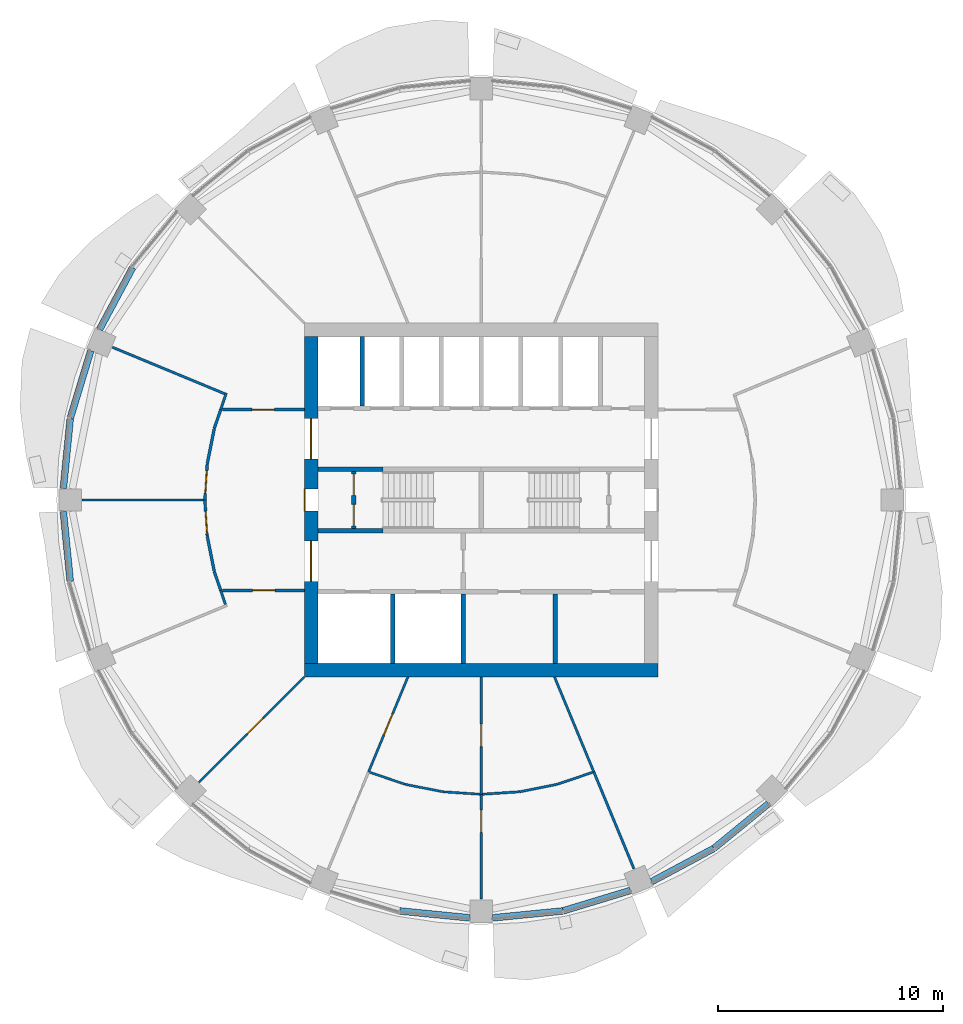
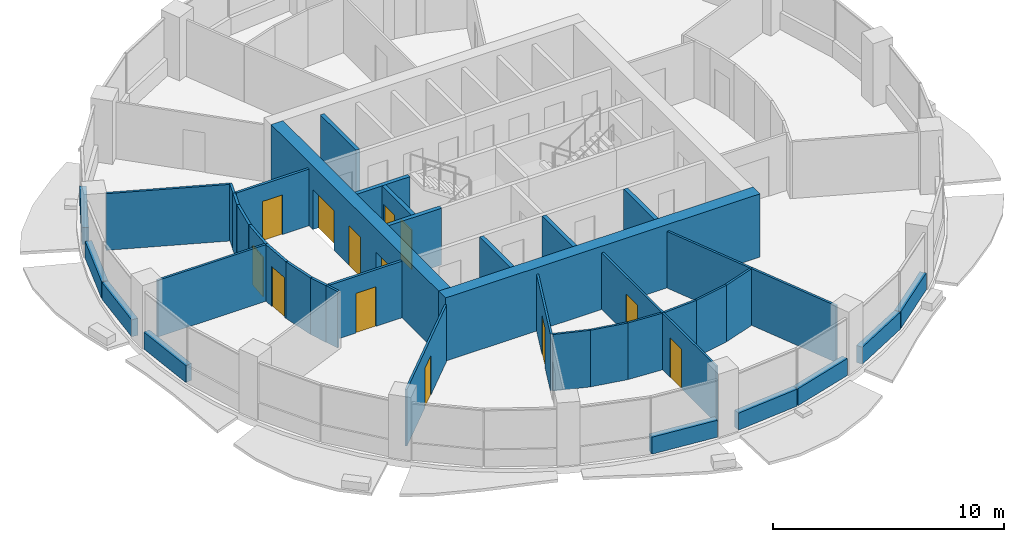
# One storey, part 8 of 14: 42 walls, 13 doors, 13 openings.
"""IFC4 building model written with IfcOpenShell, lengths in metres."""

from ifc_helpers import new_model, si_unit, direction, frame, frame_2d, origin, place, context, subcontext, project, spatial, rectangle, extrude, material, layer, layer_set, type_object, element, fill, save


model = new_model("IFC4")

# Units and contexts
model_context = context("Model", 3, precision=1e-05, world=origin(), true_north=direction((0.0, 1.0)))
body_context = subcontext(model_context, "Body", "Model", "MODEL_VIEW")
ifc_project = project(units=[si_unit("LENGTHUNIT", "METRE"), si_unit("AREAUNIT", "SQUARE_METRE"), si_unit("VOLUMEUNIT", "CUBIC_METRE"), si_unit("PLANEANGLEUNIT", "RADIAN"), si_unit("MASSUNIT", "GRAM", prefix="KILO")], contexts=[model_context])

# Site, building, storey
site_placement = place(None, origin())
site = spatial("IfcSite", under=ifc_project, at=site_placement, CompositionType="ELEMENT")
building_placement = place(site_placement, origin())
building = spatial("IfcBuilding", under=site, at=building_placement, Name="Polderwave Tower", CompositionType="ELEMENT")
storey_placement = place(building_placement, frame((0.0, 0.0, 147.75)))
storey = spatial("IfcBuildingStorey", under=building, at=storey_placement, Name="L39", CompositionType="ELEMENT", Elevation=147.75)

# Wall
ifc_material_1 = material(Name="Concrete C60/75", Category="concrete")
ifc_layer_1 = layer(ifc_material_1, 0.60009765625)
ifc_layer_set_1 = layer_set([ifc_layer_1], Name="CORE WALL 600 C60/75")
wall_type_1 = type_object("IfcWallType", Name="CORE WALL 600 C60/75", PredefinedType="SHEAR", material=ifc_layer_set_1)
wall_1_placement = place(storey_placement, frame((-7.8740234375, -7.573974609375, 0.0), z_axis=(0.0, 0.0, 1.0), x_axis=(1.0, 0.0, 0.0)))
element("IfcWall", 1, at=wall_1_placement, inside=storey, type_object=wall_type_1, Name="ST-CORE-L39-S", PredefinedType="SHEAR", context=body_context, shape_type="SweptSolid", body=[
    extrude(rectangle(XDim=15.748046875, YDim=0.60009765625, at=frame_2d((7.8740234375, 0.0))), origin(), (0.0, 0.0, 1.0), 3.35009765625),
])

# Wall, openings, doors
wall_2_placement = place(storey_placement, frame((-7.573974609375, -7.27392578125, 0.0), z_axis=(0.0, 0.0, 1.0), x_axis=(0.0, 1.0, 0.0)))
wall_2 = element("IfcWall", 2, at=wall_2_placement, inside=storey, type_object=wall_type_1, Name="ST-CORE-L39-W", PredefinedType="SHEAR", context=body_context, shape_type="SweptSolid", body=[
    extrude(rectangle(XDim=14.5478515625, YDim=0.60009765625, at=frame_2d((7.27392578125, 0.0))), origin(), (0.0, 0.0, 1.0), 3.35009765625),
])
opening_1_placement = place(wall_2_placement, frame((6.77392578125, 0.0, 0.0)))
opening_1 = element("IfcOpeningElement", 3, at=opening_1_placement, cuts=wall_2, Name="Opening L39-D18", PredefinedType="OPENING", context=body_context, shape_type="SweptSolid", body=[
    extrude(rectangle(XDim=1.0, YDim=2.10009765625, at=frame_2d((0.5, 1.050048828125))), frame((0.0, 0.31005859375, 0.0), z_axis=(0.0, -1.0, 0.0), x_axis=(1.0, 0.0, 0.0)), (0.0, 0.0, 1.0), 0.6201171875),
])
opening_2_placement = place(wall_2_placement, frame((3.6494140625, 0.0, 0.0)))
opening_2 = element("IfcOpeningElement", 4, at=opening_2_placement, cuts=wall_2, Name="Opening L39-D19", PredefinedType="OPENING", context=body_context, shape_type="SweptSolid", body=[
    extrude(rectangle(XDim=1.800048828125, YDim=2.10009765625, at=frame_2d((0.89990234375, 1.050048828125))), frame((0.0, 0.31005859375, 0.0), z_axis=(0.0, -1.0, 0.0), x_axis=(1.0, 0.0, 0.0)), (0.0, 0.0, 1.0), 0.6201171875),
])
opening_3_placement = place(wall_2_placement, frame((9.098388671875, 0.0, 0.0)))
opening_3 = element("IfcOpeningElement", 5, at=opening_3_placement, cuts=wall_2, Name="Opening L39-D20", PredefinedType="OPENING", context=body_context, shape_type="SweptSolid", body=[
    extrude(rectangle(XDim=1.800048828125, YDim=2.10009765625, at=frame_2d((0.89990234375, 1.050048828125))), frame((0.0, 0.31005859375, 0.0), z_axis=(0.0, -1.0, 0.0), x_axis=(1.0, 0.0, 0.0)), (0.0, 0.0, 1.0), 0.6201171875),
])
ifc_material_2 = material(Name="Steel fire door", Category="steel")
door_type_1 = type_object("IfcDoorType", Name="Lobby entry door pair 1800", OperationType="DOUBLE_DOOR_SINGLE_SWING", PredefinedType="DOOR", material=ifc_material_2)
door_1_placement = place(opening_2_placement, origin())
door_1 = element("IfcDoor", 6, at=door_1_placement, inside=storey, type_object=door_type_1, Name="Fire-fighting lobby entry door", OperationType="DOUBLE_DOOR_SINGLE_SWING", OverallHeight=2.10009765625, OverallWidth=1.800048828125, PredefinedType="DOOR", context=body_context, shape_type="SweptSolid", body=[
    extrude(rectangle(XDim=1.800048828125, YDim=2.10009765625, at=frame_2d((0.89990234375, 1.050048828125))), frame((0.0, 0.02490234375, 0.0), z_axis=(0.0, -1.0, 0.0), x_axis=(1.0, 0.0, 0.0)), (0.0, 0.0, 1.0), 0.050048828125),
])
fill(opening_2, door_1)
door_2_placement = place(opening_3_placement, origin())
door_2 = element("IfcDoor", 7, at=door_2_placement, inside=storey, type_object=door_type_1, Name="North lobby entry door", OperationType="DOUBLE_DOOR_SINGLE_SWING", OverallHeight=2.10009765625, OverallWidth=1.800048828125, PredefinedType="DOOR", context=body_context, shape_type="SweptSolid", body=[
    extrude(rectangle(XDim=1.800048828125, YDim=2.10009765625, at=frame_2d((0.89990234375, 1.050048828125))), frame((0.0, 0.02490234375, 0.0), z_axis=(0.0, -1.0, 0.0), x_axis=(1.0, 0.0, 0.0)), (0.0, 0.0, 1.0), 0.050048828125),
])
fill(opening_3, door_2)
door_type_2 = type_object("IfcDoorType", Name="Stair door 1000", OperationType="NOTDEFINED", PredefinedType="DOOR", material=ifc_material_2)
door_3_placement = place(opening_1_placement, origin())
door_3 = element("IfcDoor", 8, at=door_3_placement, inside=storey, type_object=door_type_2, Name="Stair A entry door", OperationType="SINGLE_SWING_RIGHT", OverallHeight=2.10009765625, OverallWidth=1.0, PredefinedType="DOOR", context=body_context, shape_type="SweptSolid", body=[
    extrude(rectangle(XDim=1.0, YDim=2.10009765625, at=frame_2d((0.5, 1.050048828125))), frame((0.0, 0.2998046875, 0.0), z_axis=(0.0, -1.0, 0.0), x_axis=(1.0, 0.0, 0.0)), (0.0, 0.0, 1.0), 0.050048828125),
])
fill(opening_1, door_3)

# Walls
ifc_material_3 = material(Name="Concrete C50/60 (board-marked)", Category="concrete")
ifc_layer_2 = layer(ifc_material_3, 0.300048828125)
ifc_layer_set_2 = layer_set([ifc_layer_2], Name="Concrete spandrel upstand C50/60")
wall_type_2 = type_object("IfcWallType", Name="Concrete spandrel upstand C50/60", PredefinedType="SOLIDWALL", material=ifc_layer_set_2)
for number, where, z_axis, x_axis, name in (
    (9, (-15.51318359375, 10.347900390625, 0.0), (0.0, 0.0, 1.0), (-0.471577373746, -0.881824688116, 0.0), "Spandrel L39 7b"),
    (10, (-17.37939453125, 6.642578125, 0.0), (0.0, 0.0, 1.0), (-0.290614442714, -0.95684024042, 0.0), "Spandrel L39 8a"),
):
    element("IfcWall", number, at=place(storey_placement, frame(where, z_axis=z_axis, x_axis=x_axis)), inside=storey, type_object=wall_type_2, Name=name, PredefinedType="SOLIDWALL", context=body_context, shape_type="SweptSolid", body=[
        extrude(rectangle(XDim=3.125, YDim=0.300048828125, at=frame_2d((1.5625, 0.0))), origin(), (0.0, 0.0, 1.0), 0.89990234375),
    ])
for number, where, z_axis, x_axis, name in (
    (11, (-18.29345703125, 3.623046875, 0.0), (0.0, 0.0, 1.0), (-0.097994848851, -0.995186921939, 0.0), "Spandrel L39 8b"),
    (12, (-18.599609375, -0.513916015625, 0.0), (0.0, 0.0, 1.0), (0.097994848851, -0.995186921939, 0.0), "Spandrel L39 9a"),
    (13, (-3.623046875, -18.29345703125, 0.0), (0.0, 0.0, 1.0), (0.995186921939, -0.097994848851, 0.0), "Spandrel L39 12b"),
    (14, (0.513916015625, -18.599609375, 0.0), (0.0, 0.0, 1.0), (0.995186921939, 0.097994848851, 0.0), "Spandrel L39 13a"),
):
    element("IfcWall", number, at=place(storey_placement, frame(where, z_axis=z_axis, x_axis=x_axis)), inside=storey, type_object=wall_type_2, Name=name, PredefinedType="SOLIDWALL", context=body_context, shape_type="SweptSolid", body=[
        extrude(rectangle(XDim=3.124267578125, YDim=0.300048828125, at=frame_2d((1.56201171875, 0.0))), origin(), (0.0, 0.0, 1.0), 0.89990234375),
    ])
for number, where, z_axis, x_axis, name in (
    (15, (3.65234375, -18.28759765625, 0.0), (0.0, 0.0, 1.0), (0.95684024042, 0.290614442714, 0.0), "Spandrel L39 13b"),
    (16, (7.59228515625, -16.98681640625, 0.0), (0.0, 0.0, 1.0), (0.881824688116, 0.471577373746, 0.0), "Spandrel L39 14a"),
    (17, (10.37255859375, -15.49658203125, 0.0), (0.0, 0.0, 1.0), (0.773351289405, 0.633977746593, 0.0), "Spandrel L39 14b"),
):
    element("IfcWall", number, at=place(storey_placement, frame(where, z_axis=z_axis, x_axis=x_axis)), inside=storey, type_object=wall_type_2, Name=name, PredefinedType="SOLIDWALL", context=body_context, shape_type="SweptSolid", body=[
        extrude(rectangle(XDim=3.125, YDim=0.300048828125, at=frame_2d((1.5625, 0.0))), origin(), (0.0, 0.0, 1.0), 0.89990234375),
    ])
ifc_material_4 = material(Name="Gypsum board partition")
ifc_layer_3 = layer(ifc_material_4, 0.199951171875)
ifc_layer_set_3 = layer_set([ifc_layer_3], Name="Core room partition 200")
wall_type_3 = type_object("IfcWallType", Name="Core room partition 200", PredefinedType="PARTITIONING", material=ifc_layer_set_3)
wall_3_placement = place(storey_placement, frame((3.287109375, -7.27392578125, 0.0), z_axis=(0.0, 0.0, 1.0), x_axis=(0.0, 1.0, 0.0)))
element("IfcWall", 18, at=wall_3_placement, inside=storey, type_object=wall_type_3, Name="L39 room partition S1", PredefinedType="PARTITIONING", context=body_context, shape_type="SweptSolid", body=[
    extrude(rectangle(XDim=3.099853515625, YDim=0.199951171875, at=frame_2d((1.5498046875, 0.0))), origin(), (0.0, 0.0, 1.0), 3.0),
])

# Wall, openings, doors
wall_4_placement = place(storey_placement, frame((-5.674072265625, -1.27490234375, 0.0), z_axis=(0.0, 0.0, 1.0), x_axis=(0.0, 1.0, 0.0)))
wall_4 = element("IfcWall", 19, at=wall_4_placement, inside=storey, type_object=wall_type_3, Name="L39 smoke lobby wall A", PredefinedType="PARTITIONING", context=body_context, shape_type="SweptSolid", body=[
    extrude(rectangle(XDim=2.5498046875, YDim=0.199951171875, at=frame_2d((1.27490234375, 0.0))), origin(), (0.0, 0.0, 1.0), 3.0),
])
opening_4_placement = place(wall_4_placement, frame((0.125, 0.0, 0.0)))
opening_4 = element("IfcOpeningElement", 20, at=opening_4_placement, cuts=wall_4, Name="Opening L39-D10", PredefinedType="OPENING", context=body_context, shape_type="SweptSolid", body=[
    extrude(rectangle(XDim=0.949951171875, YDim=2.10009765625, at=frame_2d((0.47509765625, 1.050048828125))), frame((0.0, 0.10986328125, 0.0), z_axis=(0.0, -1.0, 0.0), x_axis=(1.0, 0.0, 0.0)), (0.0, 0.0, 1.0), 0.219970703125),
])
opening_5_placement = place(wall_4_placement, frame((1.47509765625, 0.0, 0.0)))
opening_5 = element("IfcOpeningElement", 21, at=opening_5_placement, cuts=wall_4, Name="Opening L39-D11", PredefinedType="OPENING", context=body_context, shape_type="SweptSolid", body=[
    extrude(rectangle(XDim=0.949951171875, YDim=2.10009765625, at=frame_2d((0.47509765625, 1.050048828125))), frame((0.0, 0.10986328125, 0.0), z_axis=(0.0, -1.0, 0.0), x_axis=(1.0, 0.0, 0.0)), (0.0, 0.0, 1.0), 0.219970703125),
])
door_type_3 = type_object("IfcDoorType", Name="Smoke lobby door 950", OperationType="NOTDEFINED", PredefinedType="DOOR", material=ifc_material_2)
door_4_placement = place(opening_4_placement, origin())
door_4 = element("IfcDoor", 22, at=door_4_placement, inside=storey, type_object=door_type_3, Name="Stair A smoke lobby inner door", OperationType="SINGLE_SWING_LEFT", OverallHeight=2.10009765625, OverallWidth=0.949951171875, PredefinedType="DOOR", context=body_context, shape_type="SweptSolid", body=[
    extrude(rectangle(XDim=0.949951171875, YDim=2.10009765625, at=frame_2d((0.47509765625, 1.050048828125))), frame((0.0, 0.02490234375, 0.0), z_axis=(0.0, -1.0, 0.0), x_axis=(1.0, 0.0, 0.0)), (0.0, 0.0, 1.0), 0.050048828125),
])
fill(opening_4, door_4)
door_5_placement = place(opening_5_placement, origin())
door_5 = element("IfcDoor", 23, at=door_5_placement, inside=storey, type_object=door_type_3, Name="Stair A smoke lobby inner door", OperationType="SINGLE_SWING_RIGHT", OverallHeight=2.10009765625, OverallWidth=0.949951171875, PredefinedType="DOOR", context=body_context, shape_type="SweptSolid", body=[
    extrude(rectangle(XDim=0.949951171875, YDim=2.10009765625, at=frame_2d((0.47509765625, 1.050048828125))), frame((0.0, 0.02490234375, 0.0), z_axis=(0.0, -1.0, 0.0), x_axis=(1.0, 0.0, 0.0)), (0.0, 0.0, 1.0), 0.050048828125),
])
fill(opening_5, door_5)

# Walls
ifc_material_5 = material(Name="Concrete C50/60", Category="concrete")
ifc_layer_4 = layer(ifc_material_5, 0.199951171875)
ifc_layer_set_4 = layer_set([ifc_layer_4], Name="Core web wall 200")
wall_type_4 = type_object("IfcWallType", Name="Core web wall 200", PredefinedType="SHEAR", material=ifc_layer_set_4)
for number, where, z_axis, x_axis, name in (
    (24, (-7.27392578125, -1.375, 0.0), (0.0, 0.0, 1.0), (1.0, 0.0, 0.0), "L39 south stair wall 1"),
    (25, (-7.27392578125, 1.375, 0.0), (0.0, 0.0, 1.0), (1.0, 0.0, 0.0), "L39 north stair wall 1"),
):
    element("IfcWall", number, at=place(storey_placement, frame(where, z_axis=z_axis, x_axis=x_axis)), inside=storey, type_object=wall_type_4, Name=name, PredefinedType="SHEAR", context=body_context, shape_type="SweptSolid", body=[
        extrude(rectangle(XDim=2.89990234375, YDim=0.199951171875, at=frame_2d((1.449951171875, 0.0))), origin(), (0.0, 0.0, 1.0), 3.0),
    ])

# Wall, opening, door
ifc_material_6 = material(Name="Fire-resisting board on steel studs", Category="steel")
ifc_layer_5 = layer(ifc_material_6, 0.125)
ifc_layer_set_5 = layer_set([ifc_layer_5], Name="Corridor wall 125 mm EI 60")
wall_type_5 = type_object("IfcWallType", Name="Corridor wall 125 mm EI 60", PredefinedType="PARTITIONING", material=ifc_layer_set_5)
wall_5_placement = place(storey_placement, frame((-11.50830078125, 4.0244140625, 0.0), z_axis=(0.0, 0.0, 1.0), x_axis=(1.0, 0.0, 0.0)))
wall_5 = element("IfcWall", 26, at=wall_5_placement, inside=storey, type_object=wall_type_5, Name="IN-L39-W009", PredefinedType="PARTITIONING", context=body_context, shape_type="SweptSolid", body=[
    extrude(rectangle(XDim=3.63427734375, YDim=0.125, at=frame_2d((1.817138671875, 0.0))), origin(), (0.0, 0.0, 1.0), 3.0),
])
opening_6_placement = place(wall_5_placement, frame((1.300048828125, 0.0, 0.0)))
opening_6 = element("IfcOpeningElement", 27, at=opening_6_placement, cuts=wall_5, Name="Opening L39-D53", PredefinedType="OPENING", context=body_context, shape_type="SweptSolid", body=[
    extrude(rectangle(XDim=1.0, YDim=2.10009765625, at=frame_2d((0.5, 1.050048828125))), frame((0.0, 0.072509765625, 0.0), z_axis=(0.0, -1.0, 0.0), x_axis=(1.0, 0.0, 0.0)), (0.0, 0.0, 1.0), 0.14501953125),
])
ifc_material_7 = material(Name="Timber fire door leaf", Category="wood")
door_type_4 = type_object("IfcDoorType", Name="Fire door FD30S 1000 x 2100", OperationType="NOTDEFINED", PredefinedType="DOOR", material=ifc_material_7)
door_6_placement = place(opening_6_placement, origin())
door_6 = element("IfcDoor", 28, at=door_6_placement, inside=storey, type_object=door_type_4, Name="Door L39-D53", OperationType="SINGLE_SWING_LEFT", OverallHeight=2.10009765625, OverallWidth=1.0, PredefinedType="DOOR", context=body_context, shape_type="SweptSolid", body=[
    extrude(rectangle(XDim=1.0, YDim=2.10009765625, at=frame_2d((0.5, 1.050048828125))), frame((0.0, 0.02490234375, 0.0), z_axis=(0.0, -1.0, 0.0), x_axis=(1.0, 0.0, 0.0)), (0.0, 0.0, 1.0), 0.050048828125),
])
fill(opening_6, door_6)

wall_6_placement = place(storey_placement, frame((-12.300048828125, 0.0, 0.0), z_axis=(0.0, 0.0, 1.0), x_axis=(0.065418342457, 0.997857925995, 0.0)))
wall_6 = element("IfcWall", 29, at=wall_6_placement, inside=storey, type_object=wall_type_5, Name="IN-L39-W010", PredefinedType="PARTITIONING", context=body_context, shape_type="SweptSolid", body=[
    extrude(rectangle(XDim=1.604736328125, YDim=0.125, at=frame_2d((0.80224609375, 0.0))), origin(), (0.0, 0.0, 1.0), 3.0),
])
opening_7_placement = place(wall_6_placement, frame((0.300048828125, 0.0, 0.0)))
opening_7 = element("IfcOpeningElement", 30, at=opening_7_placement, cuts=wall_6, Name="Opening L39-D54", PredefinedType="OPENING", context=body_context, shape_type="SweptSolid", body=[
    extrude(rectangle(XDim=1.0, YDim=2.10009765625, at=frame_2d((0.5, 1.050048828125))), frame((0.0, 0.072509765625, 0.0), z_axis=(0.0, -1.0, 0.0), x_axis=(1.0, 0.0, 0.0)), (0.0, 0.0, 1.0), 0.14501953125),
])
door_7_placement = place(opening_7_placement, origin())
door_7 = element("IfcDoor", 31, at=door_7_placement, inside=storey, type_object=door_type_4, Name="Door L39-D54", OperationType="SINGLE_SWING_LEFT", OverallHeight=2.10009765625, OverallWidth=1.0, PredefinedType="DOOR", context=body_context, shape_type="SweptSolid", body=[
    extrude(rectangle(XDim=1.0, YDim=2.10009765625, at=frame_2d((0.5, 1.050048828125))), frame((0.0, 0.02490234375, 0.0), z_axis=(0.0, -1.0, 0.0), x_axis=(1.0, 0.0, 0.0)), (0.0, 0.0, 1.0), 0.050048828125),
])
fill(opening_7, door_7)

# Walls
wall_7_placement = place(storey_placement, frame((-12.194091796875, 1.609619140625, 0.0), z_axis=(0.0, 0.0, 1.0), x_axis=(0.195236085831, 0.980756274917, 0.0)))
element("IfcWall", 32, at=wall_7_placement, inside=storey, type_object=wall_type_5, Name="IN-L39-W011", PredefinedType="PARTITIONING", context=body_context, shape_type="SweptSolid", body=[
    extrude(rectangle(XDim=1.6005859375, YDim=0.125, at=frame_2d((0.80029296875, 0.0))), origin(), (0.0, 0.0, 1.0), 3.0),
])
wall_8_placement = place(storey_placement, frame((-11.879638671875, 3.1875, 0.0), z_axis=(0.0, 0.0, 1.0), x_axis=(0.321526351952, 0.946900631006, 0.0)))
element("IfcWall", 33, at=wall_8_placement, inside=storey, type_object=wall_type_5, Name="IN-L39-W012", PredefinedType="PARTITIONING", context=body_context, shape_type="SweptSolid", body=[
    extrude(rectangle(XDim=0.8837890625, YDim=0.125, at=frame_2d((0.44189453125, 0.0))), origin(), (0.0, 0.0, 1.0), 3.0),
])

# Wall, opening, door
wall_9_placement = place(storey_placement, frame((-7.8740234375, -4.0244140625, 0.0), z_axis=(0.0, 0.0, 1.0), x_axis=(-1.0, 0.0, 0.0)))
wall_9 = element("IfcWall", 34, at=wall_9_placement, inside=storey, type_object=wall_type_5, Name="IN-L39-W013", PredefinedType="PARTITIONING", context=body_context, shape_type="SweptSolid", body=[
    extrude(rectangle(XDim=3.63427734375, YDim=0.125, at=frame_2d((1.817138671875, 0.0))), origin(), (0.0, 0.0, 1.0), 3.0),
])
opening_8_placement = place(wall_9_placement, frame((1.300048828125, 0.0, 0.0)))
opening_8 = element("IfcOpeningElement", 35, at=opening_8_placement, cuts=wall_9, Name="Opening L39-D55", PredefinedType="OPENING", context=body_context, shape_type="SweptSolid", body=[
    extrude(rectangle(XDim=1.0, YDim=2.10009765625, at=frame_2d((0.5, 1.050048828125))), frame((0.0, 0.072509765625, 0.0), z_axis=(0.0, -1.0, 0.0), x_axis=(1.0, 0.0, 0.0)), (0.0, 0.0, 1.0), 0.14501953125),
])
door_8_placement = place(opening_8_placement, origin())
door_8 = element("IfcDoor", 36, at=door_8_placement, inside=storey, type_object=door_type_4, Name="Door L39-D55", OperationType="SINGLE_SWING_LEFT", OverallHeight=2.10009765625, OverallWidth=1.0, PredefinedType="DOOR", context=body_context, shape_type="SweptSolid", body=[
    extrude(rectangle(XDim=1.0, YDim=2.10009765625, at=frame_2d((0.5, 1.050048828125))), frame((0.0, 0.02490234375, 0.0), z_axis=(0.0, -1.0, 0.0), x_axis=(1.0, 0.0, 0.0)), (0.0, 0.0, 1.0), 0.050048828125),
])
fill(opening_8, door_8)

wall_10_placement = place(storey_placement, frame((-12.195068359375, -1.601318359375, 0.0), z_axis=(0.0, 0.0, 1.0), x_axis=(-0.065418342457, 0.997857925995, 0.0)))
wall_10 = element("IfcWall", 37, at=wall_10_placement, inside=storey, type_object=wall_type_5, Name="IN-L39-W014", PredefinedType="PARTITIONING", context=body_context, shape_type="SweptSolid", body=[
    extrude(rectangle(XDim=1.604736328125, YDim=0.125, at=frame_2d((0.80224609375, 0.0))), origin(), (0.0, 0.0, 1.0), 3.0),
])
opening_9_placement = place(wall_10_placement, frame((0.10009765625, 0.0, 0.0)))
opening_9 = element("IfcOpeningElement", 38, at=opening_9_placement, cuts=wall_10, Name="Opening L39-D56", PredefinedType="OPENING", context=body_context, shape_type="SweptSolid", body=[
    extrude(rectangle(XDim=1.0, YDim=2.10009765625, at=frame_2d((0.5, 1.050048828125))), frame((0.0, 0.072509765625, 0.0), z_axis=(0.0, -1.0, 0.0), x_axis=(1.0, 0.0, 0.0)), (0.0, 0.0, 1.0), 0.14501953125),
])
door_9_placement = place(opening_9_placement, origin())
door_9 = element("IfcDoor", 39, at=door_9_placement, inside=storey, type_object=door_type_4, Name="Door L39-D56", OperationType="SINGLE_SWING_LEFT", OverallHeight=2.10009765625, OverallWidth=1.0, PredefinedType="DOOR", context=body_context, shape_type="SweptSolid", body=[
    extrude(rectangle(XDim=1.0, YDim=2.10009765625, at=frame_2d((0.5, 1.050048828125))), frame((0.0, 0.02490234375, 0.0), z_axis=(0.0, -1.0, 0.0), x_axis=(1.0, 0.0, 0.0)), (0.0, 0.0, 1.0), 0.050048828125),
])
fill(opening_9, door_9)

# Walls
wall_11_placement = place(storey_placement, frame((-11.881591796875, -3.179443359375, 0.0), z_axis=(0.0, 0.0, 1.0), x_axis=(-0.195236085831, 0.980756274917, 0.0)))
element("IfcWall", 40, at=wall_11_placement, inside=storey, type_object=wall_type_5, Name="IN-L39-W015", PredefinedType="PARTITIONING", context=body_context, shape_type="SweptSolid", body=[
    extrude(rectangle(XDim=1.6005859375, YDim=0.125, at=frame_2d((0.80029296875, 0.0))), origin(), (0.0, 0.0, 1.0), 3.0),
])
wall_12_placement = place(storey_placement, frame((-11.595458984375, -4.0244140625, 0.0), z_axis=(0.0, 0.0, 1.0), x_axis=(-0.321526351952, 0.946900631006, 0.0)))
element("IfcWall", 41, at=wall_12_placement, inside=storey, type_object=wall_type_5, Name="IN-L39-W016", PredefinedType="PARTITIONING", context=body_context, shape_type="SweptSolid", body=[
    extrude(rectangle(XDim=0.8837890625, YDim=0.125, at=frame_2d((0.44189453125, 0.0))), origin(), (0.0, 0.0, 1.0), 3.0),
])

# Wall, opening, door
ifc_material_8 = material(Name="Plasterboard on steel studs", Category="steel")
ifc_layer_6 = layer(ifc_material_8, 0.10009765625)
ifc_layer_set_6 = layer_set([ifc_layer_6], Name="Partition 100 mm plasterboard on steel studs")
wall_type_6 = type_object("IfcWallType", Name="Partition 100 mm plasterboard on steel studs", PredefinedType="PARTITIONING", material=ifc_layer_set_6)
wall_13_placement = place(storey_placement, frame((-7.8740234375, -7.8740234375, 0.0), z_axis=(0.0, 0.0, 1.0), x_axis=(-0.707106781187, -0.707106781187, 0.0)))
wall_13 = element("IfcWall", 42, at=wall_13_placement, inside=storey, type_object=wall_type_6, Name="IN-L39-W039", PredefinedType="PARTITIONING", context=body_context, shape_type="SweptSolid", body=[
    extrude(rectangle(XDim=6.63427734375, YDim=0.10009765625, at=frame_2d((3.317138671875, 0.0))), origin(), (0.0, 0.0, 1.0), 3.0),
])
opening_10_placement = place(wall_13_placement, frame((2.60009765625, 0.0, 0.0)))
opening_10 = element("IfcOpeningElement", 43, at=opening_10_placement, cuts=wall_13, Name="Opening L39-D62", PredefinedType="OPENING", context=body_context, shape_type="SweptSolid", body=[
    extrude(rectangle(XDim=1.0, YDim=2.10009765625, at=frame_2d((0.5, 1.050048828125))), frame((0.0, 0.06005859375, 0.0), z_axis=(0.0, -1.0, 0.0), x_axis=(1.0, 0.0, 0.0)), (0.0, 0.0, 1.0), 0.1201171875),
])
ifc_material_9 = material(Name="Timber veneer door leaf", Category="wood")
door_type_5 = type_object("IfcDoorType", Name="Single door 1000 x 2100", OperationType="NOTDEFINED", PredefinedType="DOOR", material=ifc_material_9)
door_10_placement = place(opening_10_placement, origin())
door_10 = element("IfcDoor", 44, at=door_10_placement, inside=storey, type_object=door_type_5, Name="Door L39-D62", OperationType="SINGLE_SWING_LEFT", OverallHeight=2.10009765625, OverallWidth=1.0, PredefinedType="DOOR", context=body_context, shape_type="SweptSolid", body=[
    extrude(rectangle(XDim=1.0, YDim=2.10009765625, at=frame_2d((0.5, 1.050048828125))), frame((0.0, 0.02490234375, 0.0), z_axis=(0.0, -1.0, 0.0), x_axis=(1.0, 0.0, 0.0)), (0.0, 0.0, 1.0), 0.050048828125),
])
fill(opening_10, door_10)

wall_14_placement = place(storey_placement, frame((-3.261474609375, -7.8740234375, 0.0), z_axis=(0.0, 0.0, 1.0), x_axis=(-0.382701956612, -0.923871859299, 0.0)))
wall_14 = element("IfcWall", 45, at=wall_14_placement, inside=storey, type_object=wall_type_6, Name="IN-L39-W040", PredefinedType="PARTITIONING", context=body_context, shape_type="SweptSolid", body=[
    extrude(rectangle(XDim=4.5771484375, YDim=0.10009765625, at=frame_2d((2.28857421875, 0.0))), origin(), (0.0, 0.0, 1.0), 3.0),
])
opening_11_placement = place(wall_14_placement, frame((1.800048828125, 0.0, 0.0)))
opening_11 = element("IfcOpeningElement", 46, at=opening_11_placement, cuts=wall_14, Name="Opening L39-D63", PredefinedType="OPENING", context=body_context, shape_type="SweptSolid", body=[
    extrude(rectangle(XDim=1.0, YDim=2.10009765625, at=frame_2d((0.5, 1.050048828125))), frame((0.0, 0.06005859375, 0.0), z_axis=(0.0, -1.0, 0.0), x_axis=(1.0, 0.0, 0.0)), (0.0, 0.0, 1.0), 0.1201171875),
])
door_11_placement = place(opening_11_placement, origin())
door_11 = element("IfcDoor", 47, at=door_11_placement, inside=storey, type_object=door_type_5, Name="Door L39-D63", OperationType="SINGLE_SWING_RIGHT", OverallHeight=2.10009765625, OverallWidth=1.0, PredefinedType="DOOR", context=body_context, shape_type="SweptSolid", body=[
    extrude(rectangle(XDim=1.0, YDim=2.10009765625, at=frame_2d((0.5, 1.050048828125))), frame((0.0, 0.02490234375, 0.0), z_axis=(0.0, -1.0, 0.0), x_axis=(1.0, 0.0, 0.0)), (0.0, 0.0, 1.0), 0.050048828125),
])
fill(opening_11, door_11)

# Walls
wall_15_placement = place(storey_placement, frame((-3.3935546875, -12.652587890625, 0.0), z_axis=(0.0, 0.0, 1.0), x_axis=(-0.946960286408, 0.321350612207, 0.0)))
element("IfcWall", 48, at=wall_15_placement, inside=storey, type_object=wall_type_6, Name="IN-L39-W042", PredefinedType="PARTITIONING", context=body_context, shape_type="SweptSolid", body=[
    extrude(rectangle(XDim=1.656982421875, YDim=0.10009765625, at=frame_2d((0.82861328125, 0.0))), origin(), (0.0, 0.0, 1.0), 3.0),
])
wall_16_placement = place(storey_placement, frame((-1.713134765625, -12.9873046875, 0.0), z_axis=(0.0, 0.0, 1.0), x_axis=(-0.980783695828, 0.195098288043, 0.0)))
element("IfcWall", 49, at=wall_16_placement, inside=storey, type_object=wall_type_6, Name="IN-L39-W043", PredefinedType="PARTITIONING", context=body_context, shape_type="SweptSolid", body=[
    extrude(rectangle(XDim=1.706787109375, YDim=0.10009765625, at=frame_2d((0.853515625, 0.0))), origin(), (0.0, 0.0, 1.0), 3.0),
])
wall_17_placement = place(storey_placement, frame((-0.055908203125, -13.09619140625, 0.0), z_axis=(0.0, 0.0, 1.0), x_axis=(-0.997860265299, 0.06538265013, 0.0)))
element("IfcWall", 50, at=wall_17_placement, inside=storey, type_object=wall_type_6, Name="IN-L39-W044", PredefinedType="PARTITIONING", context=body_context, shape_type="SweptSolid", body=[
    extrude(rectangle(XDim=1.654052734375, YDim=0.10009765625, at=frame_2d((0.8271484375, 0.0))), origin(), (0.0, 0.0, 1.0), 3.0),
])

# Wall, opening, door
wall_18_placement = place(storey_placement, frame((0.0, -13.10009765625, 0.0), z_axis=(0.0, 0.0, 1.0), x_axis=(0.0, -1.0, 0.0)))
wall_18 = element("IfcWall", 51, at=wall_18_placement, inside=storey, type_object=wall_type_6, Name="IN-L39-W046", PredefinedType="PARTITIONING", context=body_context, shape_type="SweptSolid", body=[
    extrude(rectangle(XDim=4.669921875, YDim=0.10009765625, at=frame_2d((2.3349609375, 0.0))), origin(), (0.0, 0.0, 1.0), 3.0),
])
opening_12_placement = place(wall_18_placement, frame((0.699951171875, 0.0, 0.0)))
opening_12 = element("IfcOpeningElement", 52, at=opening_12_placement, cuts=wall_18, Name="Opening L39-D66", PredefinedType="OPENING", context=body_context, shape_type="SweptSolid", body=[
    extrude(rectangle(XDim=1.0, YDim=2.10009765625, at=frame_2d((0.5, 1.050048828125))), frame((0.0, 0.06005859375, 0.0), z_axis=(0.0, -1.0, 0.0), x_axis=(1.0, 0.0, 0.0)), (0.0, 0.0, 1.0), 0.1201171875),
])
door_12_placement = place(opening_12_placement, origin())
door_12 = element("IfcDoor", 53, at=door_12_placement, inside=storey, type_object=door_type_5, Name="Door L39-D66", OperationType="SINGLE_SWING_LEFT", OverallHeight=2.10009765625, OverallWidth=1.0, PredefinedType="DOOR", context=body_context, shape_type="SweptSolid", body=[
    extrude(rectangle(XDim=1.0, YDim=2.10009765625, at=frame_2d((0.5, 1.050048828125))), frame((0.0, 0.02490234375, 0.0), z_axis=(0.0, -1.0, 0.0), x_axis=(1.0, 0.0, 0.0)), (0.0, 0.0, 1.0), 0.050048828125),
])
fill(opening_12, door_12)

ifc_material_10 = material(Name="Moisture-resistant board on steel studs, tiled", Category="steel")
ifc_layer_7 = layer(ifc_material_10, 0.10498046875)
ifc_layer_set_7 = layer_set([ifc_layer_7], Name="Partition 105 mm wet room board and tile")
wall_type_7 = type_object("IfcWallType", Name="Partition 105 mm wet room board and tile", PredefinedType="PARTITIONING", material=ifc_layer_set_7)
wall_19_placement = place(storey_placement, frame((0.0, -7.8740234375, 0.0), z_axis=(0.0, 0.0, 1.0), x_axis=(0.0, -1.0, 0.0)))
wall_19 = element("IfcWall", 54, at=wall_19_placement, inside=storey, type_object=wall_type_7, Name="IN-L39-W045", PredefinedType="PARTITIONING", context=body_context, shape_type="SweptSolid", body=[
    extrude(rectangle(XDim=5.22607421875, YDim=0.10498046875, at=frame_2d((2.613037109375, 0.0))), origin(), (0.0, 0.0, 1.0), 3.0),
])
opening_13_placement = place(wall_19_placement, frame((2.10009765625, 0.0, 0.0)))
opening_13 = element("IfcOpeningElement", 55, at=opening_13_placement, cuts=wall_19, Name="Opening L39-D65", PredefinedType="OPENING", context=body_context, shape_type="SweptSolid", body=[
    extrude(rectangle(XDim=1.0, YDim=2.10009765625, at=frame_2d((0.5, 1.050048828125))), frame((0.0, 0.0625, 0.0), z_axis=(0.0, -1.0, 0.0), x_axis=(1.0, 0.0, 0.0)), (0.0, 0.0, 1.0), 0.125),
])
door_13_placement = place(opening_13_placement, origin())
door_13 = element("IfcDoor", 56, at=door_13_placement, inside=storey, type_object=door_type_5, Name="Door L39-D65", OperationType="SINGLE_SWING_LEFT", OverallHeight=2.10009765625, OverallWidth=1.0, PredefinedType="DOOR", context=body_context, shape_type="SweptSolid", body=[
    extrude(rectangle(XDim=1.0, YDim=2.10009765625, at=frame_2d((0.5, 1.050048828125))), frame((0.0, 0.02490234375, 0.0), z_axis=(0.0, -1.0, 0.0), x_axis=(1.0, 0.0, 0.0)), (0.0, 0.0, 1.0), 0.050048828125),
])
fill(opening_13, door_13)

# Walls
wall_20_placement = place(storey_placement, frame((1.70654296875, -12.988037109375, 0.0), z_axis=(0.0, 0.0, 1.0), x_axis=(-0.997860265299, -0.06538265013, 0.0)))
element("IfcWall", 57, at=wall_20_placement, inside=storey, type_object=wall_type_7, Name="IN-L39-W047", PredefinedType="PARTITIONING", context=body_context, shape_type="SweptSolid", body=[
    extrude(rectangle(XDim=1.654052734375, YDim=0.10498046875, at=frame_2d((0.8271484375, 0.0))), origin(), (0.0, 0.0, 1.0), 3.0),
])
wall_21_placement = place(storey_placement, frame((3.38720703125, -12.654296875, 0.0), z_axis=(0.0, 0.0, 1.0), x_axis=(-0.980778250333, -0.195125661239, 0.0)))
element("IfcWall", 58, at=wall_21_placement, inside=storey, type_object=wall_type_7, Name="IN-L39-W048", PredefinedType="PARTITIONING", context=body_context, shape_type="SweptSolid", body=[
    extrude(rectangle(XDim=1.70654296875, YDim=0.10498046875, at=frame_2d((0.853271484375, 0.0))), origin(), (0.0, 0.0, 1.0), 3.0),
])
wall_22_placement = place(storey_placement, frame((4.957763671875, -12.12158203125, 0.0), z_axis=(0.0, 0.0, 1.0), x_axis=(-0.946909610255, -0.321499906698, 0.0)))
element("IfcWall", 59, at=wall_22_placement, inside=storey, type_object=wall_type_7, Name="IN-L39-W049", PredefinedType="PARTITIONING", context=body_context, shape_type="SweptSolid", body=[
    extrude(rectangle(XDim=1.651611328125, YDim=0.10498046875, at=frame_2d((0.82568359375, 0.0))), origin(), (0.0, 0.0, 1.0), 3.0),
])
wall_23_placement = place(storey_placement, frame((3.261474609375, -7.8740234375, 0.0), z_axis=(0.0, 0.0, 1.0), x_axis=(0.382701956612, -0.923871859299, 0.0)))
element("IfcWall", 60, at=wall_23_placement, inside=storey, type_object=wall_type_7, Name="IN-L39-W050", PredefinedType="PARTITIONING", context=body_context, shape_type="SweptSolid", body=[
    extrude(rectangle(XDim=4.5771484375, YDim=0.10498046875, at=frame_2d((2.28857421875, 0.0))), origin(), (0.0, 0.0, 1.0), 3.0),
])
ifc_material_11 = material(Name="Acoustic double plasterboard on steel studs", Category="steel")
ifc_layer_8 = layer(ifc_material_11, 0.110107421875)
ifc_layer_set_8 = layer_set([ifc_layer_8], Name="Partition 110 mm acoustic double board")
wall_type_8 = type_object("IfcWallType", Name="Partition 110 mm acoustic double board", PredefinedType="PARTITIONING", material=ifc_layer_set_8)
wall_24_placement = place(storey_placement, frame((-11.595458984375, 4.0244140625, 0.0), z_axis=(0.0, 0.0, 1.0), x_axis=(0.321603719707, 0.94687435675, 0.0)))
element("IfcWall", 61, at=wall_24_placement, inside=storey, type_object=wall_type_8, Name="IN-L39-W034", PredefinedType="PARTITIONING", context=body_context, shape_type="SweptSolid", body=[
    extrude(rectangle(XDim=0.77587890625, YDim=0.110107421875, at=frame_2d((0.387939453125, 0.0))), origin(), (0.0, 0.0, 1.0), 3.0),
])
wall_25_placement = place(storey_placement, frame((-11.41796875, 4.7294921875, 0.0), z_axis=(0.0, 0.0, 1.0), x_axis=(-0.923877157574, 0.38268916592, 0.0)))
element("IfcWall", 62, at=wall_25_placement, inside=storey, type_object=wall_type_8, Name="IN-L39-W035", PredefinedType="PARTITIONING", context=body_context, shape_type="SweptSolid", body=[
    extrude(rectangle(XDim=5.4111328125, YDim=0.110107421875, at=frame_2d((2.70556640625, 0.0))), origin(), (0.0, 0.0, 1.0), 3.0),
])
wall_26_placement = place(storey_placement, frame((-12.3662109375, 0.0, 0.0), z_axis=(0.0, 0.0, 1.0), x_axis=(-1.0, 0.0, 0.0)))
element("IfcWall", 63, at=wall_26_placement, inside=storey, type_object=wall_type_8, Name="IN-L39-W036", PredefinedType="PARTITIONING", context=body_context, shape_type="SweptSolid", body=[
    extrude(rectangle(XDim=5.40380859375, YDim=0.110107421875, at=frame_2d((2.701904296875, 0.0))), origin(), (0.0, 0.0, 1.0), 3.0),
])
wall_27_placement = place(storey_placement, frame((-11.382568359375, -4.6513671875, 0.0), z_axis=(0.0, 0.0, 1.0), x_axis=(-0.321532524378, 0.946898535096, 0.0)))
element("IfcWall", 64, at=wall_27_placement, inside=storey, type_object=wall_type_8, Name="IN-L39-W038", PredefinedType="PARTITIONING", context=body_context, shape_type="SweptSolid", body=[
    extrude(rectangle(XDim=0.662109375, YDim=0.110107421875, at=frame_2d((0.3310546875, 0.0))), origin(), (0.0, 0.0, 1.0), 3.0),
])
wall_28_placement = place(storey_placement, frame((5.01318359375, -12.102783203125, 0.0), z_axis=(0.0, 0.0, 1.0), x_axis=(0.382684232268, -0.92387920118, 0.0)))
element("IfcWall", 65, at=wall_28_placement, inside=storey, type_object=wall_type_8, Name="IN-L39-W051", PredefinedType="PARTITIONING", context=body_context, shape_type="SweptSolid", body=[
    extrude(rectangle(XDim=4.669921875, YDim=0.110107421875, at=frame_2d((2.3349609375, 0.0))), origin(), (0.0, 0.0, 1.0), 3.0),
])
ifc_material_12 = material(Name="Gypsum shaft wall system")
ifc_layer_9 = layer(ifc_material_12, 0.199951171875)
ifc_layer_set_9 = layer_set([ifc_layer_9], Name="Shaft wall 200")
wall_type_9 = type_object("IfcWallType", Name="Shaft wall 200", PredefinedType="PARTITIONING", material=ifc_layer_set_9)
for number, where, z_axis, x_axis, name in (
    (66, (-3.93701171875, -7.27392578125, 0.0), (0.0, 0.0, 1.0), (0.0, 1.0, 0.0), "L39 fire-fighting shaft wall 1"),
    (67, (-0.800048828125, -7.27392578125, 0.0), (0.0, 0.0, 1.0), (0.0, 1.0, 0.0), "L39 fire-fighting shaft wall 2"),
    (68, (-5.305419921875, 4.174072265625, 0.0), (0.0, 0.0, 1.0), (0.0, 1.0, 0.0), "L39 lift shaft wall N1"),
):
    element("IfcWall", number, at=place(storey_placement, frame(where, z_axis=z_axis, x_axis=x_axis)), inside=storey, type_object=wall_type_9, Name=name, PredefinedType="PARTITIONING", context=body_context, shape_type="SweptSolid", body=[
        extrude(rectangle(XDim=3.099853515625, YDim=0.199951171875, at=frame_2d((1.5498046875, 0.0))), origin(), (0.0, 0.0, 1.0), 3.0),
    ])

save(model, "model.ifc")
